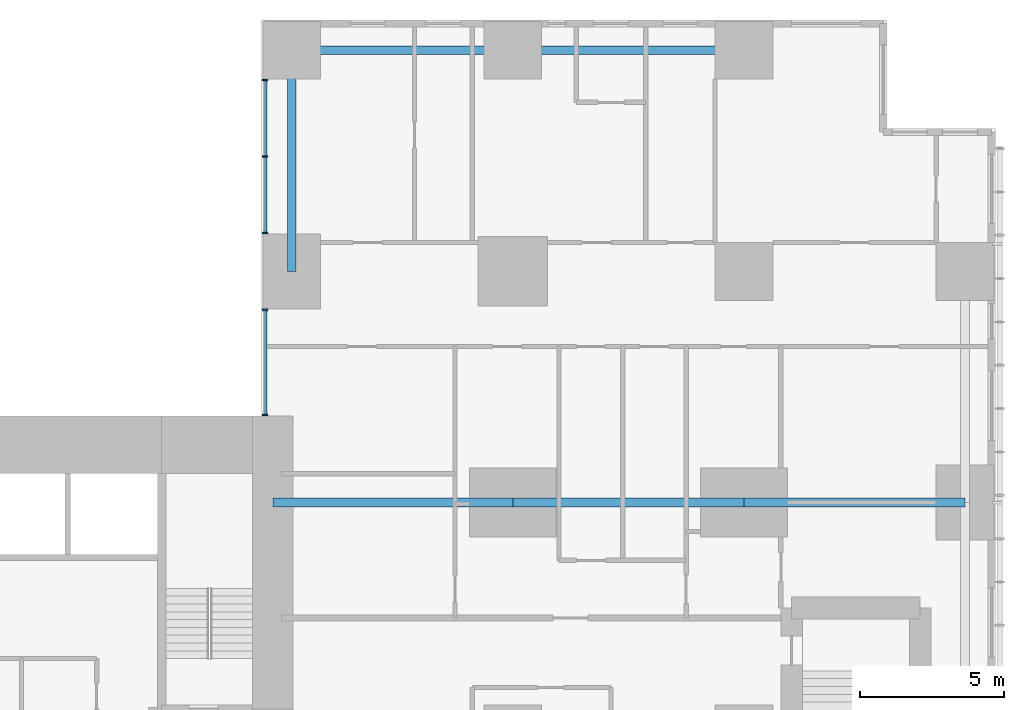
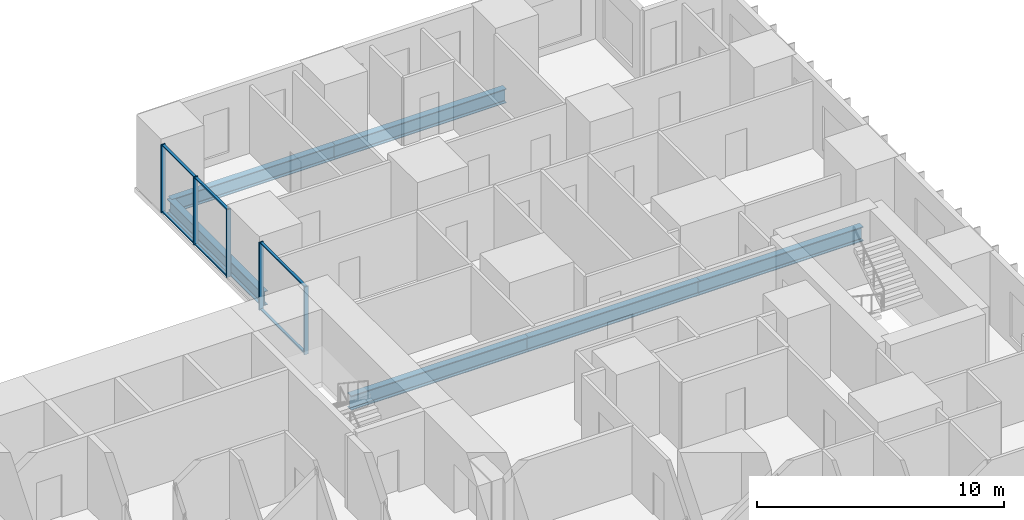
# One storey, part 5 of 20: 11 members, 6 beams, 2 elements without a shape of their own.
"""IFC4 building model written with IfcOpenShell, lengths in metres."""

from ifc_helpers import new_model, si_unit, direction, frame, origin, origin_2d, place, context, subcontext, project, spatial, rectangle, i_section, extrude, material, layer, layer_set, material_profile, profile_set, type_object, element, aggregate, save


model = new_model("IFC4")

# Units and contexts
model_context = context("Model", 3, precision=1e-05, world=origin(), true_north=direction((0.0, 1.0)))
body_context = subcontext(model_context, "Body", "Model", "MODEL_VIEW")
ifc_project = project(units=[si_unit("LENGTHUNIT", "METRE"), si_unit("AREAUNIT", "SQUARE_METRE"), si_unit("VOLUMEUNIT", "CUBIC_METRE"), si_unit("PLANEANGLEUNIT", "RADIAN"), si_unit("MASSUNIT", "GRAM", prefix="KILO")], contexts=[model_context])

# Site, building, storey
site_placement = place(None, origin())
site = spatial("IfcSite", under=ifc_project, at=site_placement, CompositionType="ELEMENT")
building_placement = place(site_placement, origin())
building = spatial("IfcBuilding", under=site, at=building_placement, Name="Cleftline Residences", CompositionType="ELEMENT")
storey_placement = place(building_placement, frame((0.0, 0.0, 107.0)))
storey = spatial("IfcBuildingStorey", under=building, at=storey_placement, Name="L27", CompositionType="ELEMENT", Elevation=107.0)

# Beams
ifc_material_1 = material(Name="Steel S355", Category="steel")
ifc_material_profile_1 = material_profile(ifc_material_1, i_section(OverallWidth=0.300048828125, OverallDepth=0.699951171875, WebThickness=0.01708984375, FlangeThickness=0.031982421875, FilletRadius=0.027099609375, at=origin_2d()))
ifc_profile_set_1 = profile_set([ifc_material_profile_1], Name="Steel S355")
beam_type_1 = type_object("IfcBeamType", Name="BEAM HEB 700", PredefinedType="BEAM", material=ifc_profile_set_1)
beam_1_placement = place(storey_placement, frame((58.0, 47.64990234375, -0.60009765625), z_axis=(-1.0, 0.0, 0.0), x_axis=(0.0, -1.0, 0.0)))
element("IfcBeam", 1, at=beam_1_placement, inside=storey, type_object=beam_type_1, Name="Edge beam", PredefinedType="BEAM", context=body_context, shape_type="SweptSolid", body=[
    extrude(i_section(OverallWidth=0.300048828125, OverallDepth=0.699951171875, WebThickness=0.01708984375, FlangeThickness=0.031982421875, FilletRadius=0.027099609375, at=origin_2d()), origin(), (0.0, 0.0, 1.0), 8.0),
])
for number, where, z_axis, x_axis, name in (
    (2, (50.0, 47.64990234375, -0.60009765625), (-1.0, 0.0, 0.0), (0.0, -1.0, 0.0), "Edge beam"),
    (3, (42.35009765625, 47.64990234375, -0.60009765625), (0.0, -1.0, 0.0), (1.0, 0.0, 0.0), "Edge beam"),
):
    element("IfcBeam", number, at=place(storey_placement, frame(where, z_axis=z_axis, x_axis=x_axis)), inside=storey, type_object=beam_type_1, Name=name, PredefinedType="BEAM", context=body_context, shape_type="SweptSolid", body=[
        extrude(i_section(OverallWidth=0.300048828125, OverallDepth=0.699951171875, WebThickness=0.01708984375, FlangeThickness=0.031982421875, FilletRadius=0.027099609375, at=origin_2d()), origin(), (0.0, 0.0, 1.0), 7.64990234375),
    ])
ifc_material_2 = material(Name="Steel S355", Category="steel")
ifc_material_profile_2 = material_profile(ifc_material_2, i_section(OverallWidth=0.303955078125, OverallDepth=0.716064453125, WebThickness=0.02099609375, FlangeThickness=0.0400390625, FilletRadius=0.027099609375, at=origin_2d()))
ifc_profile_set_2 = profile_set([ifc_material_profile_2], Name="Steel S355")
beam_type_2 = type_object("IfcBeamType", Name="BEAM HEM 700", PredefinedType="BEAM", material=ifc_profile_set_2)
beam_2_placement = place(storey_placement, frame((65.64990234375, 32.0, -0.60791015625), z_axis=(-1.0, 0.0, 0.0), x_axis=(0.0, -1.0, 0.0)))
element("IfcBeam", 4, at=beam_2_placement, inside=storey, type_object=beam_type_2, Name="Band beam", PredefinedType="BEAM", context=body_context, shape_type="SweptSolid", body=[
    extrude(i_section(OverallWidth=0.303955078125, OverallDepth=0.716064453125, WebThickness=0.02099609375, FlangeThickness=0.0400390625, FilletRadius=0.027099609375, at=origin_2d()), origin(), (0.0, 0.0, 1.0), 7.64990234375),
])
beam_3_placement = place(storey_placement, frame((58.0, 32.0, -0.60791015625), z_axis=(-1.0, 0.0, 0.0), x_axis=(0.0, -1.0, 0.0)))
element("IfcBeam", 5, at=beam_3_placement, inside=storey, type_object=beam_type_2, Name="Band beam", PredefinedType="BEAM", context=body_context, shape_type="SweptSolid", body=[
    extrude(i_section(OverallWidth=0.303955078125, OverallDepth=0.716064453125, WebThickness=0.02099609375, FlangeThickness=0.0400390625, FilletRadius=0.027099609375, at=origin_2d()), origin(), (0.0, 0.0, 1.0), 8.0),
])
beam_4_placement = place(storey_placement, frame((50.0, 32.0, -0.60791015625), z_axis=(-1.0, 0.0, 0.0), x_axis=(0.0, -1.0, 0.0)))
element("IfcBeam", 6, at=beam_4_placement, inside=storey, type_object=beam_type_2, Name="Band beam", PredefinedType="BEAM", context=body_context, shape_type="SweptSolid", body=[
    extrude(i_section(OverallWidth=0.303955078125, OverallDepth=0.716064453125, WebThickness=0.02099609375, FlangeThickness=0.0400390625, FilletRadius=0.027099609375, at=origin_2d()), origin(), (0.0, 0.0, 1.0), 8.300048828125),
])

# Curtain wall, members
ifc_material_3 = material(Name="Aluminium framed curtain wall", Category="aluminium")
ifc_layer = layer(ifc_material_3, 0.199951171875)
ifc_layer_set = layer_set([ifc_layer], Name="CW1 CLEFT GLAZING")
curtain_wall_type = type_object("IfcCurtainWallType", Name="CW1 CLEFT GLAZING", PredefinedType="NOTDEFINED", material=ifc_layer_set)
curtain_wall_1_placement = place(storey_placement, origin())
curtain_wall_1 = element("IfcCurtainWall", 7, at=curtain_wall_1_placement, inside=storey, type_object=curtain_wall_type, Name="Curtain wall CW1", PredefinedType="NOTDEFINED")
ifc_material_4 = material(Name="Aluminium mullion", Category="aluminium")
ifc_material_profile_3 = material_profile(ifc_material_4, rectangle(XDim=0.199951171875, YDim=0.06005859375, at=origin_2d()))
ifc_profile_set_3 = profile_set([ifc_material_profile_3], Name="Aluminium mullion")
member_type_1 = type_object("IfcMemberType", Name="CW1 MULLION", PredefinedType="MULLION", material=ifc_profile_set_3)
member_1_placement = place(storey_placement, frame((41.425048828125, 46.6201171875, 0.0), z_axis=(0.0, 0.0, 1.0), x_axis=(1.0, 0.0, 0.0)))
member_1 = element("IfcMember", 8, at=member_1_placement, type_object=member_type_1, Name="CW1 mullion 1", PredefinedType="MULLION", context=body_context, shape_type="SweptSolid", body=[
    extrude(rectangle(XDim=0.199951171875, YDim=0.06005859375, at=origin_2d()), origin(), (0.0, 0.0, 1.0), 3.35009765625),
])
member_2_placement = place(storey_placement, frame((41.425048828125, 43.97509765625, 0.0), z_axis=(0.0, 0.0, 1.0), x_axis=(1.0, 0.0, 0.0)))
member_2 = element("IfcMember", 9, at=member_2_placement, type_object=member_type_1, Name="CW1 mullion 2", PredefinedType="MULLION", context=body_context, shape_type="SweptSolid", body=[
    extrude(rectangle(XDim=0.199951171875, YDim=0.06005859375, at=origin_2d()), origin(), (0.0, 0.0, 1.0), 3.35009765625),
])
member_3_placement = place(storey_placement, frame((41.425048828125, 41.330078125, 0.0), z_axis=(0.0, 0.0, 1.0), x_axis=(1.0, 0.0, 0.0)))
member_3 = element("IfcMember", 10, at=member_3_placement, type_object=member_type_1, Name="CW1 mullion 3", PredefinedType="MULLION", context=body_context, shape_type="SweptSolid", body=[
    extrude(rectangle(XDim=0.199951171875, YDim=0.06005859375, at=origin_2d()), origin(), (0.0, 0.0, 1.0), 3.35009765625),
])

curtain_wall_2_placement = place(storey_placement, origin())
curtain_wall_2 = element("IfcCurtainWall", 11, at=curtain_wall_2_placement, inside=storey, type_object=curtain_wall_type, Name="Curtain wall CW1", PredefinedType="NOTDEFINED")
member_4_placement = place(storey_placement, frame((41.425048828125, 38.669921875, 0.0), z_axis=(0.0, 0.0, 1.0), x_axis=(1.0, 0.0, 0.0)))
member_4 = element("IfcMember", 12, at=member_4_placement, type_object=member_type_1, Name="CW1 mullion 1", PredefinedType="MULLION", context=body_context, shape_type="SweptSolid", body=[
    extrude(rectangle(XDim=0.199951171875, YDim=0.06005859375, at=origin_2d()), origin(), (0.0, 0.0, 1.0), 3.35009765625),
])
member_5_placement = place(storey_placement, frame((41.425048828125, 35.030029296875, 0.0), z_axis=(0.0, 0.0, 1.0), x_axis=(1.0, 0.0, 0.0)))
member_5 = element("IfcMember", 13, at=member_5_placement, type_object=member_type_1, Name="CW1 mullion 2", PredefinedType="MULLION", context=body_context, shape_type="SweptSolid", body=[
    extrude(rectangle(XDim=0.199951171875, YDim=0.06005859375, at=origin_2d()), origin(), (0.0, 0.0, 1.0), 3.35009765625),
])

# Member
ifc_material_5 = material(Name="Aluminium transom", Category="aluminium")
ifc_material_profile_4 = material_profile(ifc_material_5, rectangle(XDim=0.1201171875, YDim=0.06005859375, at=origin_2d()))
ifc_profile_set_4 = profile_set([ifc_material_profile_4], Name="Aluminium transom")
member_type_2 = type_object("IfcMemberType", Name="CW1 TRANSOM", PredefinedType="USERDEFINED", material=ifc_profile_set_4)
member_6_placement = place(storey_placement, frame((41.425048828125, 46.590087890625, 0.030029296875), z_axis=(0.0, -1.0, 0.0), x_axis=(1.0, 0.0, 0.0)))
member_6 = element("IfcMember", 14, at=member_6_placement, type_object=member_type_2, Name="CW1 transom 1.1", ObjectType="TRANSOM", PredefinedType="USERDEFINED", context=body_context, shape_type="SweptSolid", body=[
    extrude(rectangle(XDim=0.1201171875, YDim=0.06005859375, at=origin_2d()), origin(), (0.0, 0.0, 1.0), 2.585205078125),
])

member_7_placement = place(storey_placement, frame((41.425048828125, 46.590087890625, 3.320068359375), z_axis=(0.0, -1.0, 0.0), x_axis=(1.0, 0.0, 0.0)))
member_7 = element("IfcMember", 15, at=member_7_placement, type_object=member_type_2, Name="CW1 transom 1.2", ObjectType="TRANSOM", PredefinedType="USERDEFINED", context=body_context, shape_type="SweptSolid", body=[
    extrude(rectangle(XDim=0.1201171875, YDim=0.06005859375, at=origin_2d()), origin(), (0.0, 0.0, 1.0), 2.585205078125),
])

member_8_placement = place(storey_placement, frame((41.425048828125, 43.945068359375, 0.030029296875), z_axis=(0.0, -1.0, 0.0), x_axis=(1.0, 0.0, 0.0)))
member_8 = element("IfcMember", 16, at=member_8_placement, type_object=member_type_2, Name="CW1 transom 2.1", ObjectType="TRANSOM", PredefinedType="USERDEFINED", context=body_context, shape_type="SweptSolid", body=[
    extrude(rectangle(XDim=0.1201171875, YDim=0.06005859375, at=origin_2d()), origin(), (0.0, 0.0, 1.0), 2.5849609375),
])

member_9_placement = place(storey_placement, frame((41.425048828125, 43.945068359375, 3.320068359375), z_axis=(0.0, -1.0, 0.0), x_axis=(1.0, 0.0, 0.0)))
member_9 = element("IfcMember", 17, at=member_9_placement, type_object=member_type_2, Name="CW1 transom 2.2", ObjectType="TRANSOM", PredefinedType="USERDEFINED", context=body_context, shape_type="SweptSolid", body=[
    extrude(rectangle(XDim=0.1201171875, YDim=0.06005859375, at=origin_2d()), origin(), (0.0, 0.0, 1.0), 2.5849609375),
])

aggregate(curtain_wall_1, [member_1, member_2, member_3, member_6, member_7, member_8, member_9])

member_10_placement = place(storey_placement, frame((41.425048828125, 38.639892578125, 0.030029296875), z_axis=(0.0, -1.0, 0.0), x_axis=(1.0, 0.0, 0.0)))
member_10 = element("IfcMember", 18, at=member_10_placement, type_object=member_type_2, Name="CW1 transom 1.1", ObjectType="TRANSOM", PredefinedType="USERDEFINED", context=body_context, shape_type="SweptSolid", body=[
    extrude(rectangle(XDim=0.1201171875, YDim=0.06005859375, at=origin_2d()), origin(), (0.0, 0.0, 1.0), 3.579833984375),
])

member_11_placement = place(storey_placement, frame((41.425048828125, 38.639892578125, 3.320068359375), z_axis=(0.0, -1.0, 0.0), x_axis=(1.0, 0.0, 0.0)))
member_11 = element("IfcMember", 19, at=member_11_placement, type_object=member_type_2, Name="CW1 transom 1.2", ObjectType="TRANSOM", PredefinedType="USERDEFINED", context=body_context, shape_type="SweptSolid", body=[
    extrude(rectangle(XDim=0.1201171875, YDim=0.06005859375, at=origin_2d()), origin(), (0.0, 0.0, 1.0), 3.579833984375),
])

aggregate(curtain_wall_2, [member_4, member_5, member_10, member_11])

save(model, "model.ifc")
